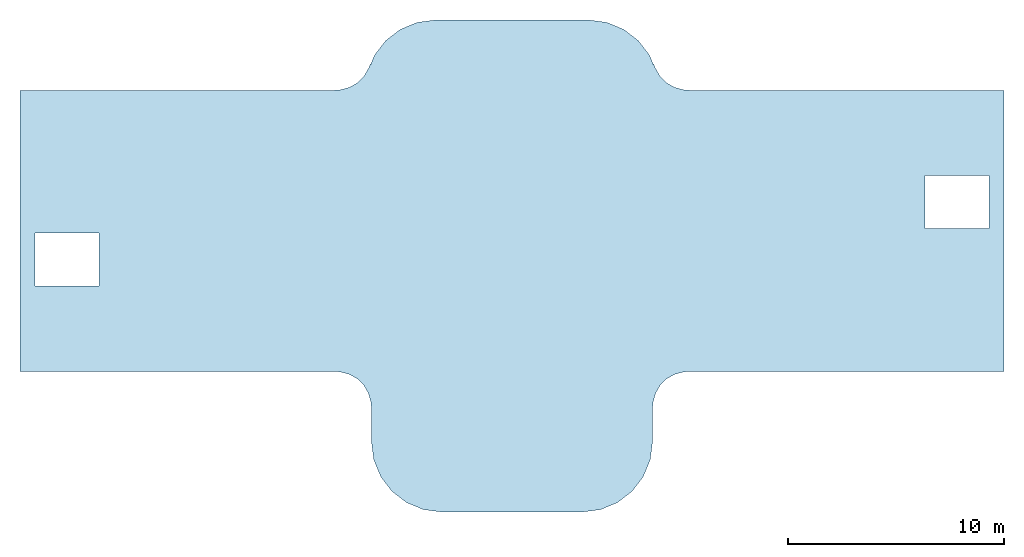
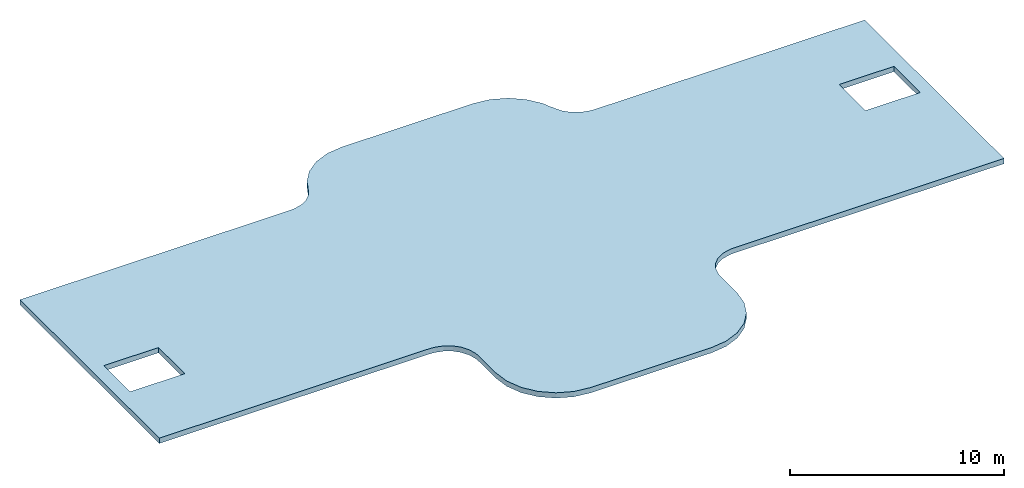
# One storey: 1 slab.
"""IFC4 building model written with IfcOpenShell, lengths in metres."""

from ifc_helpers import new_model, si_unit, direction, frame, origin, place, context, subcontext, project, spatial, polyline, outline, extrude, material, layer, layer_set, type_object, element, save


model = new_model("IFC4")

# Units and contexts
model_context = context("Model", 3, precision=1e-05, world=origin(), true_north=direction((0.0, 1.0)))
body_context = subcontext(model_context, "Body", "Model", "MODEL_VIEW")
ifc_project = project(units=[si_unit("LENGTHUNIT", "METRE"), si_unit("AREAUNIT", "SQUARE_METRE"), si_unit("VOLUMEUNIT", "CUBIC_METRE"), si_unit("PLANEANGLEUNIT", "RADIAN"), si_unit("MASSUNIT", "GRAM", prefix="KILO")], contexts=[model_context])

# Site, building, storey
site_placement = place(None, origin())
site = spatial("IfcSite", under=ifc_project, at=site_placement, CompositionType="ELEMENT")
building_placement = place(site_placement, origin())
building = spatial("IfcBuilding", under=site, at=building_placement, Name="Trellis Farm Tower", CompositionType="ELEMENT")
storey_placement = place(building_placement, frame((0.0, 0.0, 361.800048828125)))
storey = spatial("IfcBuildingStorey", under=building, at=storey_placement, Name="ROOF", CompositionType="ELEMENT", Elevation=361.800048828125)

# Slab
ifc_material = material(Name="Concrete C40/50", Category="concrete")
ifc_layer = layer(ifc_material, 0.300048828125)
ifc_layer_set = layer_set([ifc_layer], Name="Roof slab on composite deck 300")
slab_type = type_object("IfcSlabType", Name="Roof slab on composite deck 300", PredefinedType="ROOF", material=ifc_layer_set)
slab_placement = place(storey_placement, origin())
element("IfcSlab", 1, at=slab_placement, inside=storey, type_object=slab_type, Name="Roof slab", PredefinedType="ROOF", context=body_context, shape_type="SweptSolid", body=[
    extrude(outline(polyline([(-22.75, 6.5), (-8.2314453125, 6.5), (-8.01953125, 6.513916015625), (-7.91552734375, 6.527587890625), (-7.508544921875, 6.63671875), (-7.144287109375, 6.846923828125), (-6.846923828125, 7.144287109375), (-6.63623046875, 7.50927734375), (-6.555419921875, 7.704345703125), (-6.53466796875, 7.69580078125), (-6.356689453125, 8.125), (-5.84033203125, 8.798095703125), (-5.167236328125, 9.314697265625), (-4.38330078125, 9.639404296875), (-3.542236328125, 9.75), (3.542236328125, 9.75), (4.38330078125, 9.639404296875), (5.167236328125, 9.314697265625), (5.84033203125, 8.798095703125), (6.356689453125, 8.125), (6.53466796875, 7.69580078125), (6.555419921875, 7.704345703125), (6.63623046875, 7.50927734375), (6.846923828125, 7.144287109375), (7.144287109375, 6.846923828125), (7.508544921875, 6.63671875), (7.91552734375, 6.527587890625), (8.01953125, 6.513916015625), (8.2314453125, 6.5), (22.75, 6.5), (22.75, -6.5), (8.2314453125, -6.5), (8.01953125, -6.513916015625), (7.91552734375, -6.527587890625), (7.508544921875, -6.63671875), (7.144287109375, -6.846923828125), (6.846923828125, -7.144287109375), (6.63671875, -7.508544921875), (6.527587890625, -7.91552734375), (6.513916015625, -8.01953125), (6.5, -8.2314453125), (6.5, -9.75), (6.389404296875, -10.59130859375), (6.064697265625, -11.375), (5.548095703125, -12.048095703125), (4.875, -12.564697265625), (4.09130859375, -12.889404296875), (3.25, -13.0), (-3.25, -13.0), (-4.09130859375, -12.889404296875), (-4.875, -12.564697265625), (-5.548095703125, -12.048095703125), (-6.064697265625, -11.375), (-6.389404296875, -10.59130859375), (-6.5, -9.75), (-6.5, -8.2314453125), (-6.513916015625, -8.01953125), (-6.527587890625, -7.91552734375), (-6.63671875, -7.508544921875), (-6.846923828125, -7.144287109375), (-7.144287109375, -6.846923828125), (-7.508544921875, -6.63671875), (-7.91552734375, -6.527587890625), (-8.01953125, -6.513916015625), (-8.2314453125, -6.5), (-22.75, -6.5), (-22.75, 6.5)]), holes=[polyline([(-19.10009765625, -0.10009765625), (-22.050048828125, -0.10009765625), (-22.050048828125, -2.550048828125), (-19.10009765625, -2.550048828125), (-19.10009765625, -0.10009765625)]), polyline([(19.10009765625, 0.10009765625), (22.050048828125, 0.10009765625), (22.050048828125, 2.550048828125), (19.10009765625, 2.550048828125), (19.10009765625, 0.10009765625)])]), origin(), (0.0, 0.0, 1.0), 0.300048828125),
])

save(model, "model.ifc")
